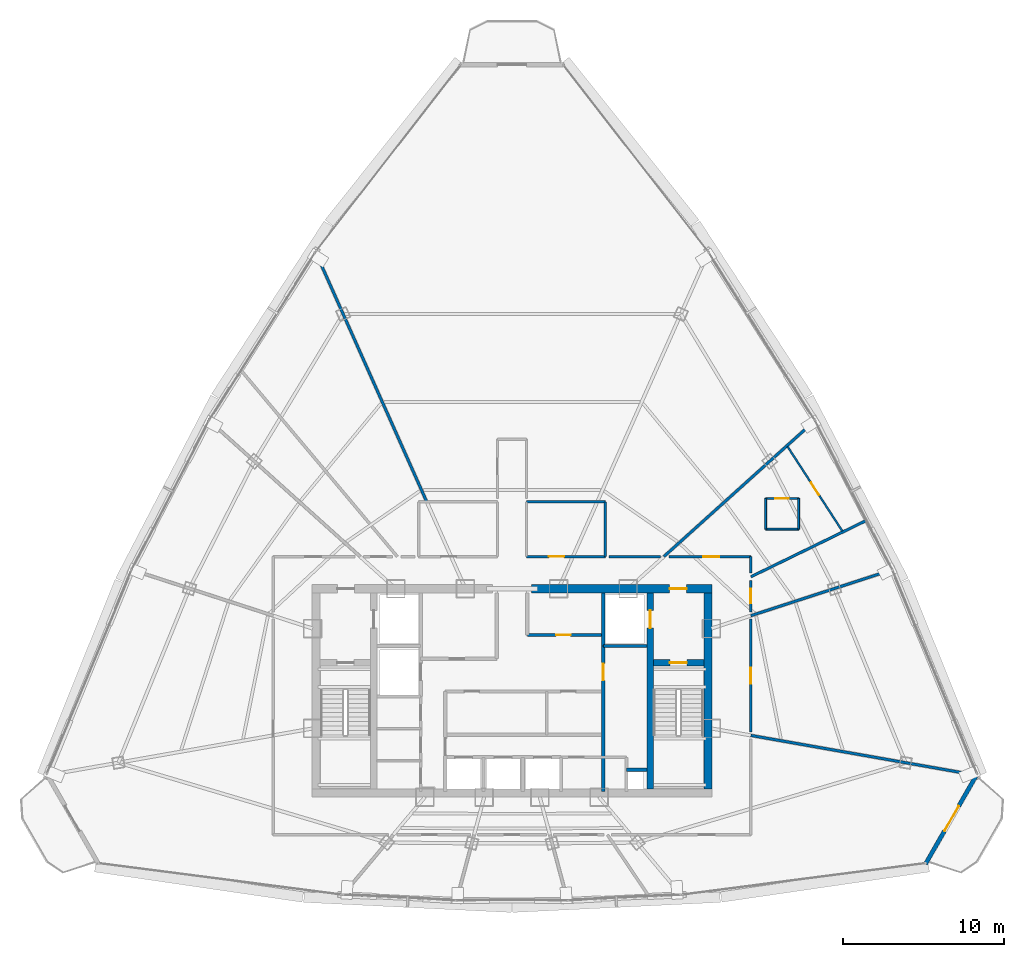
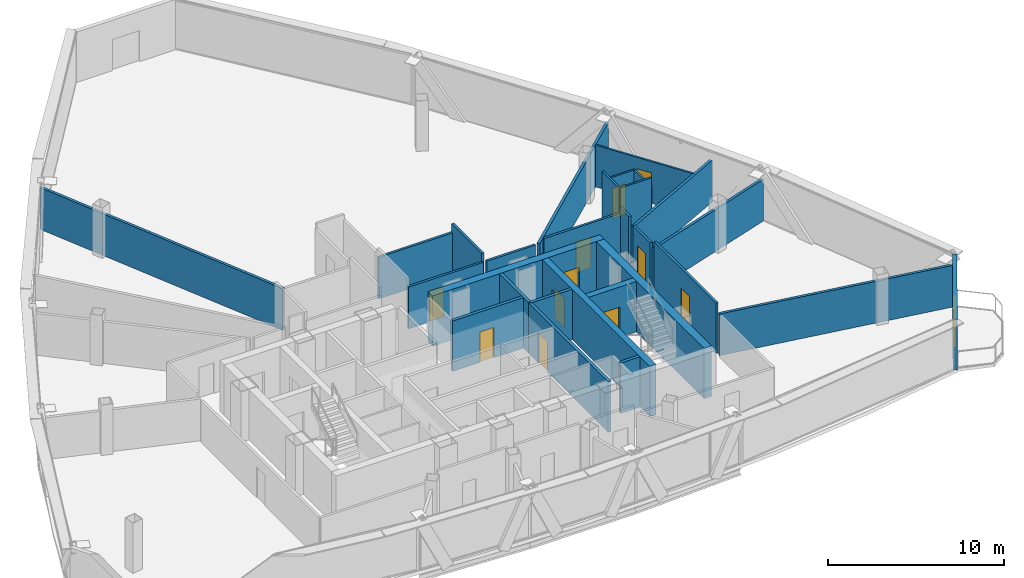
# One storey, part 30 of 34: 28 walls, 12 doors, 12 openings.
"""IFC4 building model written with IfcOpenShell, lengths in metres."""

from ifc_helpers import new_model, si_unit, direction, frame, frame_2d, origin, origin_with_axes, place, context, subcontext, project, spatial, rectangle, extrude, source, transform, mapped, material, layer, layer_set, type_object, element, fill, save


model = new_model("IFC4")

# Units and contexts
model_context = context("Model", 3, precision=1e-05, world=origin(), true_north=direction((0.0, 1.0)))
body_context = subcontext(model_context, "Body", "Model", "MODEL_VIEW")
ifc_project = project(units=[si_unit("LENGTHUNIT", "METRE"), si_unit("AREAUNIT", "SQUARE_METRE"), si_unit("VOLUMEUNIT", "CUBIC_METRE"), si_unit("PLANEANGLEUNIT", "RADIAN"), si_unit("MASSUNIT", "GRAM", prefix="KILO"), si_unit("THERMODYNAMICTEMPERATUREUNIT", "KELVIN"), si_unit("POWERUNIT", "WATT")], contexts=[model_context])

# Site, building, storey
site_placement = place(None, origin())
site = spatial("IfcSite", under=ifc_project, at=site_placement, CompositionType="ELEMENT")
building_placement = place(site_placement, origin())
building = spatial("IfcBuilding", under=site, at=building_placement, Name="Yunzhuo Pagoda Commons", CompositionType="ELEMENT")
storey_placement = place(building_placement, frame((0.0, 0.0, 333.010009765625)))
storey = spatial("IfcBuildingStorey", under=building, at=storey_placement, Name="L83", CompositionType="ELEMENT", Elevation=333.010009765625)

# Wall, opening, door
ifc_material_1 = material(Name="Precast concrete C40", Category="concrete")
ifc_layer_1 = layer(ifc_material_1, 0.260009765625)
ifc_layer_set_1 = layer_set([ifc_layer_1], Name="Precast concrete C40")
wall_type_1 = type_object("IfcWallType", Name="W-BAL1 Corner Balcony Threshold Wall 260", PredefinedType="STANDARD", material=ifc_layer_set_1)
wall_1_placement = place(storey_placement, frame((73.71240234375, 23.091064453125, 0.0), z_axis=(0.0, 0.0, 1.0), x_axis=(0.49793434898, 0.867214727796, 0.0)))
wall_1 = element("IfcWall", 1, at=wall_1_placement, inside=storey, type_object=wall_type_1, Name="L83 corner balcony wall V2", PredefinedType="STANDARD", context=body_context, shape_type="SweptSolid", body=[
    extrude(rectangle(XDim=6.5126953125, YDim=0.260009765625, at=frame_2d((3.25634765625, 0.0))), origin(), (0.0, 0.0, 1.0), 3.489990234375),
])
opening_1_placement = place(wall_1_placement, frame((2.3564453125, 0.0, 0.0)))
opening_1 = element("IfcOpeningElement", 2, at=opening_1_placement, cuts=wall_1, Name="Opening D-BAL1", PredefinedType="OPENING", context=body_context, shape_type="SweptSolid", body=[
    extrude(rectangle(XDim=1.800048828125, YDim=2.14990234375, at=frame_2d((0.89990234375, 1.074951171875))), frame((0.0, 0.14013671875, 0.0), z_axis=(0.0, -1.0, 0.0), x_axis=(1.0, 0.0, 0.0)), (0.0, 0.0, 1.0), 0.280029296875),
])
ifc_material_2 = material(Name="Anodized aluminium frame and tempered glazed leaf", Category="aluminium")
door_type_1 = type_object("IfcDoorType", Name="D-BAL1 Corner Balcony Sliding Glazed Door 1800x2150", OperationType="DOUBLE_DOOR_SLIDING", PredefinedType="DOOR", material=ifc_material_2)
shared_shape_1 = source(origin(), body_context, "Body", "SweptSolid", [
    extrude(rectangle(XDim=1.800048828125, YDim=2.14990234375, at=frame_2d((0.89990234375, 1.074951171875))), frame((0.0, 0.02490234375, 0.0), z_axis=(0.0, -1.0, 0.0), x_axis=(1.0, 0.0, 0.0)), (0.0, 0.0, 1.0), 0.050048828125),
])
door_1_placement = place(opening_1_placement, origin_with_axes())
door_1 = element("IfcDoor", 3, at=door_1_placement, inside=storey, type_object=door_type_1, Name="L83 corner balcony sliding door V2", OperationType="DOUBLE_DOOR_SLIDING", OverallHeight=2.14990234375, OverallWidth=1.800048828125, PredefinedType="DOOR", context=body_context, shape_type="MappedRepresentation", body=[
    mapped(shared_shape_1, transform((0.0, 0.0, 0.0), scale=1.0)),
])
fill(opening_1, door_1)

ifc_material_3 = material(Name="Concrete C50", Category="concrete")
ifc_layer_2 = layer(ifc_material_3, 0.5)
ifc_layer_set_2 = layer_set([ifc_layer_2], Name="Concrete C50")
wall_type_2 = type_object("IfcWallType", Name="W-C03 Upper Core Shear Wall 500", PredefinedType="SHEAR", material=ifc_layer_set_2)
wall_2_placement = place(storey_placement, frame((49.199951171875, 40.199951171875, 0.0), z_axis=(0.0, 0.0, 1.0), x_axis=(1.0, 0.0, 0.0)))
wall_2 = element("IfcWall", 4, at=wall_2_placement, inside=storey, type_object=wall_type_2, Name="L83 core shear wall NE", PredefinedType="SHEAR", context=body_context, shape_type="SweptSolid", body=[
    extrude(rectangle(XDim=11.25, YDim=0.5, at=frame_2d((5.625, 0.0))), origin(), (0.0, 0.0, 1.0), 3.489990234375),
])
opening_2_placement = place(wall_2_placement, frame((8.60009765625, 0.0, 0.0)))
opening_2 = element("IfcOpeningElement", 5, at=opening_2_placement, cuts=wall_2, Name="Opening D-02", PredefinedType="OPENING", context=body_context, shape_type="SweptSolid", body=[
    extrude(rectangle(XDim=1.050048828125, YDim=2.10009765625, at=frame_2d((0.52490234375, 1.050048828125))), frame((0.0, 0.260009765625, 0.0), z_axis=(0.0, -1.0, 0.0), x_axis=(1.0, 0.0, 0.0)), (0.0, 0.0, 1.0), 0.52001953125),
])
ifc_material_4 = material(Name="Galvanized fire-resisting metal leaf")
door_type_2 = type_object("IfcDoorType", Name="D-02 Firefighting Lobby & Refuge Fire Door 1050x2100", OperationType="NOTDEFINED", PredefinedType="DOOR", material=ifc_material_4)
shared_shape_2 = source(origin(), body_context, "Body", "SweptSolid", [
    extrude(rectangle(XDim=1.050048828125, YDim=2.10009765625, at=frame_2d((0.52490234375, 1.050048828125))), frame((0.0, 0.02490234375, 0.0), z_axis=(0.0, -1.0, 0.0), x_axis=(1.0, 0.0, 0.0)), (0.0, 0.0, 1.0), 0.050048828125),
])
door_2_placement = place(opening_2_placement, frame((1.050048828125, 0.0, 0.0), z_axis=(0.0, 0.0, 1.0), x_axis=(-1.0, 0.0, 0.0)))
door_2 = element("IfcDoor", 6, at=door_2_placement, inside=storey, type_object=door_type_2, Name="L83 Firefighting Lobby 2 fire door", OperationType="SINGLE_SWING_RIGHT", OverallHeight=2.10009765625, OverallWidth=1.050048828125, PredefinedType="DOOR", context=body_context, shape_type="MappedRepresentation", body=[
    mapped(shared_shape_2, transform((0.0, 0.0, 0.0), scale=1.0)),
])
fill(opening_2, door_2)

# Wall
wall_3_placement = place(storey_placement, frame((60.199951171875, 27.75, 0.0), z_axis=(0.0, 0.0, 1.0), x_axis=(0.0, 1.0, 0.0)))
element("IfcWall", 7, at=wall_3_placement, inside=storey, type_object=wall_type_2, Name="L83 core shear wall E", PredefinedType="SHEAR", context=body_context, shape_type="SweptSolid", body=[
    extrude(rectangle(XDim=12.199951171875, YDim=0.5, at=frame_2d((6.10009765625, 0.0))), origin(), (0.0, 0.0, 1.0), 3.489990234375),
])

# Wall, opening, door
ifc_material_5 = material(Name="Gypsum plasterboard on acoustic stud")
ifc_layer_3 = layer(ifc_material_5, 0.14990234375)
ifc_layer_set_3 = layer_set([ifc_layer_3], Name="Gypsum plasterboard on acoustic stud")
wall_type_3 = type_object("IfcWallType", Name="W-COR3 High-Zone Rated Corridor Wall 150", PredefinedType="PARTITIONING", material=ifc_layer_set_3)
wall_4_placement = place(storey_placement, frame((48.89990234375, 42.199951171875, 0.0), z_axis=(0.0, 0.0, 1.0), x_axis=(1.0, 0.0, 0.0)))
wall_4 = element("IfcWall", 8, at=wall_4_placement, inside=storey, type_object=wall_type_3, Name="L83 interior wall IW-L83-TFES", PredefinedType="PARTITIONING", context=body_context, shape_type="SweptSolid", body=[
    extrude(rectangle(XDim=4.900146484375, YDim=0.14990234375, at=frame_2d((2.4501953125, 0.0))), origin(), (0.0, 0.0, 1.0), 2.889892578125),
])
opening_3_placement = place(wall_4_placement, frame((1.39990234375, 0.0, 0.0)))
opening_3 = element("IfcOpeningElement", 9, at=opening_3_placement, cuts=wall_4, Name="Opening D-11", PredefinedType="OPENING", context=body_context, shape_type="SweptSolid", body=[
    extrude(rectangle(XDim=0.93994140625, YDim=2.10009765625, at=frame_2d((0.469970703125, 1.050048828125))), frame((0.0, 0.0849609375, 0.0), z_axis=(0.0, -1.0, 0.0), x_axis=(1.0, 0.0, 0.0)), (0.0, 0.0, 1.0), 0.169921875),
])
door_type_3 = type_object("IfcDoorType", Name="D-11 Accessible Washroom Fire Door 940x2100", OperationType="NOTDEFINED", PredefinedType="DOOR", material=ifc_material_4)
shared_shape_3 = source(origin(), body_context, "Body", "SweptSolid", [
    extrude(rectangle(XDim=0.93994140625, YDim=2.10009765625, at=frame_2d((0.469970703125, 1.050048828125))), frame((0.0, 0.02490234375, 0.0), z_axis=(0.0, -1.0, 0.0), x_axis=(1.0, 0.0, 0.0)), (0.0, 0.0, 1.0), 0.050048828125),
])
door_3_placement = place(opening_3_placement, frame((0.93994140625, 0.0, 0.0), z_axis=(0.0, 0.0, 1.0), x_axis=(-1.0, 0.0, 0.0)))
door_3 = element("IfcDoor", 10, at=door_3_placement, inside=storey, type_object=door_type_3, Name="L83 accessible WC door", OperationType="SINGLE_SWING_RIGHT", OverallHeight=2.10009765625, OverallWidth=0.93994140625, PredefinedType="DOOR", context=body_context, shape_type="MappedRepresentation", body=[
    mapped(shared_shape_3, transform((0.0, 0.0, 0.0), scale=1.0)),
])
fill(opening_3, door_3)

# Walls
wall_5_placement = place(storey_placement, frame((48.89990234375, 45.60009765625, 0.0), z_axis=(0.0, 0.0, 1.0), x_axis=(1.0, 0.0, 0.0)))
element("IfcWall", 11, at=wall_5_placement, inside=storey, type_object=wall_type_3, Name="L83 interior wall IW-L83-TFEN", PredefinedType="PARTITIONING", context=body_context, shape_type="SweptSolid", body=[
    extrude(rectangle(XDim=4.900146484375, YDim=0.14990234375, at=frame_2d((2.4501953125, 0.0))), origin(), (0.0, 0.0, 1.0), 2.889892578125),
])
wall_6_placement = place(storey_placement, frame((53.800048828125, 42.199951171875, 0.0), z_axis=(0.0, 0.0, 1.0), x_axis=(0.0, 1.0, 0.0)))
element("IfcWall", 12, at=wall_6_placement, inside=storey, type_object=wall_type_3, Name="L83 interior wall IW-L83-TFEE", PredefinedType="PARTITIONING", context=body_context, shape_type="SweptSolid", body=[
    extrude(rectangle(XDim=3.400146484375, YDim=0.14990234375, at=frame_2d((1.7001953125, 0.0))), origin(), (0.0, 0.0, 1.0), 3.489990234375),
])
wall_7_placement = place(storey_placement, frame((54.02001953125, 42.199951171875, 0.0), z_axis=(0.0, 0.0, 1.0), x_axis=(1.0, 0.0, 0.0)))
element("IfcWall", 13, at=wall_7_placement, inside=storey, type_object=wall_type_3, Name="L83 interior wall IW-L83-CWL09", PredefinedType="PARTITIONING", context=body_context, shape_type="SweptSolid", body=[
    extrude(rectangle(XDim=3.200439453125, YDim=0.14990234375, at=frame_2d((1.60009765625, 0.0))), origin(), (0.0, 0.0, 1.0), 2.889892578125),
])

# Wall, opening, door
wall_8_placement = place(storey_placement, frame((57.76904296875, 42.199951171875, 0.0), z_axis=(0.0, 0.0, 1.0), x_axis=(1.0, 0.0, 0.0)))
wall_8 = element("IfcWall", 14, at=wall_8_placement, inside=storey, type_object=wall_type_3, Name="L83 interior wall IW-L83-CWL10", PredefinedType="PARTITIONING", context=body_context, shape_type="SweptSolid", body=[
    extrude(rectangle(XDim=5.0810546875, YDim=0.14990234375, at=frame_2d((2.54052734375, 0.0))), origin(), (0.0, 0.0, 1.0), 3.139892578125),
])
opening_4_placement = place(wall_8_placement, frame((2.131103515625, 0.0, 0.0)))
opening_4 = element("IfcOpeningElement", 15, at=opening_4_placement, cuts=wall_8, Name="Opening D-08", PredefinedType="OPENING", context=body_context, shape_type="SweptSolid", body=[
    extrude(rectangle(XDim=0.97998046875, YDim=2.1201171875, at=frame_2d((0.489990234375, 1.06005859375))), frame((0.0, 0.0849609375, 0.0), z_axis=(0.0, -1.0, 0.0), x_axis=(1.0, 0.0, 0.0)), (0.0, 0.0, 1.0), 0.169921875),
])
door_type_4 = type_object("IfcDoorType", Name="D-08 High-Zone Suite Entrance Fire Door 980x2120", OperationType="NOTDEFINED", PredefinedType="DOOR", material=ifc_material_4)
shared_shape_4 = source(origin(), body_context, "Body", "SweptSolid", [
    extrude(rectangle(XDim=0.97998046875, YDim=2.1201171875, at=frame_2d((0.489990234375, 1.06005859375))), frame((0.0, 0.02490234375, 0.0), z_axis=(0.0, -1.0, 0.0), x_axis=(1.0, 0.0, 0.0)), (0.0, 0.0, 1.0), 0.050048828125),
])
door_4_placement = place(opening_4_placement, origin_with_axes())
door_4 = element("IfcDoor", 16, at=door_4_placement, inside=storey, type_object=door_type_4, Name="L83 unit 03 entrance door", OperationType="SINGLE_SWING_LEFT", OverallHeight=2.1201171875, OverallWidth=0.97998046875, PredefinedType="DOOR", context=body_context, shape_type="MappedRepresentation", body=[
    mapped(shared_shape_4, transform((0.0, 0.0, 0.0), scale=1.0)),
])
fill(opening_4, door_4)

# Wall
wall_9_placement = place(storey_placement, frame((62.85009765625, 42.199951171875, 0.0), z_axis=(0.0, 0.0, 1.0), x_axis=(0.0, -1.0, 0.0)))
element("IfcWall", 17, at=wall_9_placement, inside=storey, type_object=wall_type_3, Name="L83 interior wall IW-L83-CWL11", PredefinedType="PARTITIONING", context=body_context, shape_type="SweptSolid", body=[
    extrude(rectangle(XDim=1.012451171875, YDim=0.14990234375, at=frame_2d((0.50634765625, 0.0))), origin(), (0.0, 0.0, 1.0), 3.489990234375),
])

# Wall, opening, door
wall_10_placement = place(storey_placement, frame((62.85009765625, 40.722900390625, 0.0), z_axis=(0.0, 0.0, 1.0), x_axis=(0.0, -1.0, 0.0)))
wall_10 = element("IfcWall", 18, at=wall_10_placement, inside=storey, type_object=wall_type_3, Name="L83 interior wall IW-L83-CWL12", PredefinedType="PARTITIONING", context=body_context, shape_type="SweptSolid", body=[
    extrude(rectangle(XDim=1.966552734375, YDim=0.14990234375, at=frame_2d((0.9833984375, 0.0))), origin(), (0.0, 0.0, 1.0), 3.139892578125),
])
opening_5_placement = place(wall_10_placement, frame((0.529052734375, 0.0, 0.0)))
opening_5 = element("IfcOpeningElement", 19, at=opening_5_placement, cuts=wall_10, Name="Opening D-12", PredefinedType="OPENING", context=body_context, shape_type="SweptSolid", body=[
    extrude(rectangle(XDim=0.89990234375, YDim=2.080078125, at=frame_2d((0.449951171875, 1.0400390625))), frame((0.0, 0.0849609375, 0.0), z_axis=(0.0, -1.0, 0.0), x_axis=(1.0, 0.0, 0.0)), (0.0, 0.0, 1.0), 0.169921875),
])
ifc_material_6 = material(Name="Powder-coated aluminium and timber acoustic leaf", Category="wood")
door_type_5 = type_object("IfcDoorType", Name="D-12 Quiet Study Interior Door 900x2080", OperationType="NOTDEFINED", PredefinedType="DOOR", material=ifc_material_6)
shared_shape_5 = source(origin(), body_context, "Body", "SweptSolid", [
    extrude(rectangle(XDim=0.89990234375, YDim=2.080078125, at=frame_2d((0.449951171875, 1.0400390625))), frame((0.0, 0.02490234375, 0.0), z_axis=(0.0, -1.0, 0.0), x_axis=(1.0, 0.0, 0.0)), (0.0, 0.0, 1.0), 0.050048828125),
])
door_5_placement = place(opening_5_placement, origin_with_axes())
door_5 = element("IfcDoor", 20, at=door_5_placement, inside=storey, type_object=door_type_5, Name="L83 study lounge 02 door", OperationType="SINGLE_SWING_RIGHT", OverallHeight=2.080078125, OverallWidth=0.89990234375, PredefinedType="DOOR", context=body_context, shape_type="MappedRepresentation", body=[
    mapped(shared_shape_5, transform((0.0, 0.0, 0.0), scale=1.0)),
])
fill(opening_5, door_5)

wall_11_placement = place(storey_placement, frame((62.85009765625, 38.305419921875, 0.0), z_axis=(0.0, 0.0, 1.0), x_axis=(0.0, -1.0, 0.0)))
wall_11 = element("IfcWall", 21, at=wall_11_placement, inside=storey, type_object=wall_type_3, Name="L83 interior wall IW-L83-CWL13", PredefinedType="PARTITIONING", context=body_context, shape_type="SweptSolid", body=[
    extrude(rectangle(XDim=7.004150390625, YDim=0.14990234375, at=frame_2d((3.501953125, 0.0))), origin(), (0.0, 0.0, 1.0), 3.489990234375),
])
opening_6_placement = place(wall_11_placement, frame((3.027099609375, 0.0, 0.0)))
opening_6 = element("IfcOpeningElement", 22, at=opening_6_placement, cuts=wall_11, Name="Opening D-08", PredefinedType="OPENING", context=body_context, shape_type="SweptSolid", body=[
    extrude(rectangle(XDim=0.97998046875, YDim=2.1201171875, at=frame_2d((0.489990234375, 1.06005859375))), frame((0.0, 0.0849609375, 0.0), z_axis=(0.0, -1.0, 0.0), x_axis=(1.0, 0.0, 0.0)), (0.0, 0.0, 1.0), 0.169921875),
])
door_6_placement = place(opening_6_placement, origin_with_axes())
door_6 = element("IfcDoor", 23, at=door_6_placement, inside=storey, type_object=door_type_4, Name="L83 unit 01 entrance door", OperationType="SINGLE_SWING_LEFT", OverallHeight=2.1201171875, OverallWidth=0.97998046875, PredefinedType="DOOR", context=body_context, shape_type="MappedRepresentation", body=[
    mapped(shared_shape_4, transform((0.0, 0.0, 0.0), scale=1.0)),
])
fill(opening_6, door_6)

# Walls
ifc_layer_4 = layer(ifc_material_5, 0.1201171875)
ifc_layer_set_4 = layer_set([ifc_layer_4], Name="Gypsum plasterboard on acoustic stud")
wall_type_4 = type_object("IfcWallType", Name="W-PRT1 Suite & Bathroom Partition 120", PredefinedType="PARTITIONING", material=ifc_layer_set_4)
wall_12_placement = place(storey_placement, frame((63.76806640625, 43.9130859375, 0.0), z_axis=(0.0, 0.0, 1.0), x_axis=(1.0, 0.0, 0.0)))
element("IfcWall", 24, at=wall_12_placement, inside=storey, type_object=wall_type_4, Name="L83 interior wall IW-L83-B03S", PredefinedType="PARTITIONING", context=body_context, shape_type="SweptSolid", body=[
    extrude(rectangle(XDim=2.050048828125, YDim=0.1201171875, at=frame_2d((1.02490234375, 0.0))), origin(), (0.0, 0.0, 1.0), 3.489990234375),
])
wall_13_placement = place(storey_placement, frame((65.818115234375, 43.9130859375, 0.0), z_axis=(0.0, 0.0, 1.0), x_axis=(0.0, 1.0, 0.0)))
element("IfcWall", 25, at=wall_13_placement, inside=storey, type_object=wall_type_4, Name="L83 interior wall IW-L83-B03E", PredefinedType="PARTITIONING", context=body_context, shape_type="SweptSolid", body=[
    extrude(rectangle(XDim=1.89990234375, YDim=0.1201171875, at=frame_2d((0.949951171875, 0.0))), origin(), (0.0, 0.0, 1.0), 2.889892578125),
])

# Wall, opening, door
wall_14_placement = place(storey_placement, frame((65.818115234375, 45.81298828125, 0.0), z_axis=(0.0, 0.0, 1.0), x_axis=(-1.0, 0.0, 0.0)))
wall_14 = element("IfcWall", 26, at=wall_14_placement, inside=storey, type_object=wall_type_4, Name="L83 interior wall IW-L83-B03N", PredefinedType="PARTITIONING", context=body_context, shape_type="SweptSolid", body=[
    extrude(rectangle(XDim=2.050048828125, YDim=0.1201171875, at=frame_2d((1.02490234375, 0.0))), origin(), (0.0, 0.0, 1.0), 2.889892578125),
])
opening_7_placement = place(wall_14_placement, frame((0.60009765625, 0.0, 0.0)))
opening_7 = element("IfcOpeningElement", 27, at=opening_7_placement, cuts=wall_14, Name="Opening D-05", PredefinedType="OPENING", context=body_context, shape_type="SweptSolid", body=[
    extrude(rectangle(XDim=0.85009765625, YDim=2.10009765625, at=frame_2d((0.425048828125, 1.050048828125))), frame((0.0, 0.070068359375, 0.0), z_axis=(0.0, -1.0, 0.0), x_axis=(1.0, 0.0, 0.0)), (0.0, 0.0, 1.0), 0.14013671875),
])
door_type_6 = type_object("IfcDoorType", Name="D-05 En-Suite Bathroom Door 850x2100", OperationType="NOTDEFINED", PredefinedType="DOOR", material=ifc_material_6)
shared_shape_6 = source(origin(), body_context, "Body", "SweptSolid", [
    extrude(rectangle(XDim=0.85009765625, YDim=2.10009765625, at=frame_2d((0.425048828125, 1.050048828125))), frame((0.0, 0.02490234375, 0.0), z_axis=(0.0, -1.0, 0.0), x_axis=(1.0, 0.0, 0.0)), (0.0, 0.0, 1.0), 0.050048828125),
])
door_7_placement = place(opening_7_placement, frame((0.85009765625, 0.0, 0.0), z_axis=(0.0, 0.0, 1.0), x_axis=(-1.0, 0.0, 0.0)))
door_7 = element("IfcDoor", 28, at=door_7_placement, inside=storey, type_object=door_type_6, Name="L83 unit 03 bathroom door", OperationType="SINGLE_SWING_LEFT", OverallHeight=2.10009765625, OverallWidth=0.85009765625, PredefinedType="DOOR", context=body_context, shape_type="MappedRepresentation", body=[
    mapped(shared_shape_6, transform((0.0, 0.0, 0.0), scale=1.0)),
])
fill(opening_7, door_7)

# Wall
wall_15_placement = place(storey_placement, frame((63.76806640625, 45.81298828125, 0.0), z_axis=(0.0, 0.0, 1.0), x_axis=(0.0, -1.0, 0.0)))
element("IfcWall", 29, at=wall_15_placement, inside=storey, type_object=wall_type_4, Name="L83 interior wall IW-L83-B03W", PredefinedType="PARTITIONING", context=body_context, shape_type="SweptSolid", body=[
    extrude(rectangle(XDim=1.89990234375, YDim=0.1201171875, at=frame_2d((0.949951171875, 0.0))), origin(), (0.0, 0.0, 1.0), 3.489990234375),
])

# Wall, opening, door
wall_16_placement = place(storey_placement, frame((68.539794921875, 43.78466796875, 0.0), z_axis=(0.0, 0.0, 1.0), x_axis=(-0.54386649996, 0.839171752516, 0.0)))
wall_16 = element("IfcWall", 30, at=wall_16_placement, inside=storey, type_object=wall_type_4, Name="L83 interior wall IW-L83-CLB03", PredefinedType="PARTITIONING", context=body_context, shape_type="SweptSolid", body=[
    extrude(rectangle(XDim=6.267578125, YDim=0.1201171875, at=frame_2d((3.1337890625, 0.0))), origin(), (0.0, 0.0, 1.0), 2.889892578125),
])
opening_8_placement = place(wall_16_placement, frame((2.673583984375, 0.0, 0.0)))
opening_8 = element("IfcOpeningElement", 31, at=opening_8_placement, cuts=wall_16, Name="Opening D-04", PredefinedType="OPENING", context=body_context, shape_type="SweptSolid", body=[
    extrude(rectangle(XDim=0.919921875, YDim=2.10009765625, at=frame_2d((0.4599609375, 1.050048828125))), frame((0.0, 0.070068359375, 0.0), z_axis=(0.0, -1.0, 0.0), x_axis=(1.0, 0.0, 0.0)), (0.0, 0.0, 1.0), 0.14013671875),
])
door_type_7 = type_object("IfcDoorType", Name="D-04 Bedroom & Study Interior Door 920x2100", OperationType="NOTDEFINED", PredefinedType="DOOR", material=ifc_material_6)
shared_shape_7 = source(origin(), body_context, "Body", "SweptSolid", [
    extrude(rectangle(XDim=0.919921875, YDim=2.10009765625, at=frame_2d((0.4599609375, 1.050048828125))), frame((0.0, 0.02490234375, 0.0), z_axis=(0.0, -1.0, 0.0), x_axis=(1.0, 0.0, 0.0)), (0.0, 0.0, 1.0), 0.050048828125),
])
door_8_placement = place(opening_8_placement, origin_with_axes())
door_8 = element("IfcDoor", 32, at=door_8_placement, inside=storey, type_object=door_type_7, Name="L83 suite 03 bedroom door", OperationType="SINGLE_SWING_LEFT", OverallHeight=2.10009765625, OverallWidth=0.919921875, PredefinedType="DOOR", context=body_context, shape_type="MappedRepresentation", body=[
    mapped(shared_shape_7, transform((0.0, 0.0, 0.0), scale=1.0)),
])
fill(opening_8, door_8)

# Walls
ifc_layer_5 = layer(ifc_material_5, 0.169921875)
ifc_layer_set_5 = layer_set([ifc_layer_5], Name="Gypsum plasterboard on acoustic stud")
wall_type_5 = type_object("IfcWallType", Name="W-PRT4 High-Zone Demising Wall 170", PredefinedType="PARTITIONING", material=ifc_layer_set_5)
wall_17_placement = place(storey_placement, frame((62.85009765625, 38.525146484375, 0.0), z_axis=(0.0, 0.0, 1.0), x_axis=(0.951054035025, 0.309024630836, 0.0)))
element("IfcWall", 33, at=wall_17_placement, inside=storey, type_object=wall_type_5, Name="L83 interior wall IW-L83-RAD01", PredefinedType="PARTITIONING", context=body_context, shape_type="SweptSolid", body=[
    extrude(rectangle(XDim=9.25439453125, YDim=0.169921875, at=frame_2d((4.627197265625, 0.0))), origin(), (0.0, 0.0, 1.0), 2.889892578125),
])
wall_18_placement = place(storey_placement, frame((62.85009765625, 40.94287109375, 0.0), z_axis=(0.0, 0.0, 1.0), x_axis=(0.898797111691, 0.438364861749, 0.0)))
element("IfcWall", 34, at=wall_18_placement, inside=storey, type_object=wall_type_5, Name="L83 interior wall IW-L83-RAD02", PredefinedType="PARTITIONING", context=body_context, shape_type="SweptSolid", body=[
    extrude(rectangle(XDim=8.02099609375, YDim=0.169921875, at=frame_2d((4.010498046875, 0.0))), origin(), (0.0, 0.0, 1.0), 2.889892578125),
])
wall_19_placement = place(storey_placement, frame((57.440185546875, 42.199951171875, 0.0), z_axis=(0.0, 0.0, 1.0), x_axis=(0.743143506998, 0.669132070675, 0.0)))
element("IfcWall", 35, at=wall_19_placement, inside=storey, type_object=wall_type_5, Name="L83 interior wall IW-L83-RAD03", PredefinedType="PARTITIONING", context=body_context, shape_type="SweptSolid", body=[
    extrude(rectangle(XDim=12.65380859375, YDim=0.169921875, at=frame_2d((6.326904296875, 0.0))), origin(), (0.0, 0.0, 1.0), 2.889892578125),
])
wall_20_placement = place(storey_placement, frame((42.701904296875, 45.60009765625, 0.0), z_axis=(0.0, 0.0, 1.0), x_axis=(-0.406746839759, 0.913540917719, 0.0)))
element("IfcWall", 36, at=wall_20_placement, inside=storey, type_object=wall_type_5, Name="L83 interior wall IW-L83-RAD04", PredefinedType="PARTITIONING", context=body_context, shape_type="SweptSolid", body=[
    extrude(rectangle(XDim=17.013427734375, YDim=0.169921875, at=frame_2d((8.5068359375, 0.0))), origin(), (0.0, 0.0, 1.0), 2.889892578125),
])
wall_21_placement = place(storey_placement, frame((62.85009765625, 31.08154296875, 0.0), z_axis=(0.0, 0.0, 1.0), x_axis=(0.984807879062, -0.173647462802, 0.0)))
element("IfcWall", 37, at=wall_21_placement, inside=storey, type_object=wall_type_5, Name="L83 interior wall IW-L83-RAD12", PredefinedType="PARTITIONING", context=body_context, shape_type="SweptSolid", body=[
    extrude(rectangle(XDim=14.24365234375, YDim=0.169921875, at=frame_2d((7.121826171875, 0.0))), origin(), (0.0, 0.0, 1.0), 2.889892578125),
])

# Wall, opening, door
ifc_material_7 = material(Name="Concrete C60", Category="concrete")
ifc_layer_6 = layer(ifc_material_7, 0.39990234375)
ifc_layer_set_6 = layer_set([ifc_layer_6], Name="Concrete C60")
wall_type_6 = type_object("IfcWallType", Name="W-S01 Internal Core Shear Web 400", PredefinedType="SHEAR", material=ifc_layer_set_6)
wall_22_placement = place(storey_placement, frame((56.60009765625, 27.75, 0.0), z_axis=(0.0, 0.0, 1.0), x_axis=(0.0, 1.0, 0.0)))
wall_22 = element("IfcWall", 38, at=wall_22_placement, inside=storey, type_object=wall_type_6, Name="L83 core shear wall WEBE", PredefinedType="SHEAR", context=body_context, shape_type="SweptSolid", body=[
    extrude(rectangle(XDim=12.199951171875, YDim=0.39990234375, at=frame_2d((6.10009765625, 0.0))), origin(), (0.0, 0.0, 1.0), 3.489990234375),
])
opening_9_placement = place(wall_22_placement, frame((10.0, 0.0, 0.0)))
opening_9 = element("IfcOpeningElement", 39, at=opening_9_placement, cuts=wall_22, Name="Opening LD-01", PredefinedType="OPENING", context=body_context, shape_type="SweptSolid", body=[
    extrude(rectangle(XDim=1.10009765625, YDim=2.10009765625, at=frame_2d((0.550048828125, 1.050048828125))), frame((0.0, 0.2099609375, 0.0), z_axis=(0.0, -1.0, 0.0), x_axis=(1.0, 0.0, 0.0)), (0.0, 0.0, 1.0), 0.419921875),
])
door_type_8 = type_object("IfcDoorType", Name="LD-01 Firefighting Lift Landing Door 1100x2100", OperationType="DOUBLE_DOOR_SLIDING", PredefinedType="DOOR", material=ifc_material_4)
shared_shape_8 = source(origin(), body_context, "Body", "SweptSolid", [
    extrude(rectangle(XDim=1.10009765625, YDim=2.10009765625, at=frame_2d((0.550048828125, 1.050048828125))), frame((0.0, 0.02490234375, 0.0), z_axis=(0.0, -1.0, 0.0), x_axis=(1.0, 0.0, 0.0)), (0.0, 0.0, 1.0), 0.050048828125),
])
door_9_placement = place(opening_9_placement, origin_with_axes())
door_9 = element("IfcDoor", 40, at=door_9_placement, inside=storey, type_object=door_type_8, Name="L83 Firefighting lift FL-2 landing door", OperationType="DOUBLE_DOOR_SLIDING", OverallHeight=2.10009765625, OverallWidth=1.10009765625, PredefinedType="DOOR", context=body_context, shape_type="MappedRepresentation", body=[
    mapped(shared_shape_8, transform((0.0, 0.0, 0.0), scale=1.0)),
])
fill(opening_9, door_9)

wall_23_placement = place(storey_placement, frame((56.800048828125, 35.60009765625, 0.0), z_axis=(0.0, 0.0, 1.0), x_axis=(1.0, 0.0, 0.0)))
wall_23 = element("IfcWall", 41, at=wall_23_placement, inside=storey, type_object=wall_type_6, Name="L83 core shear wall STE", PredefinedType="SHEAR", context=body_context, shape_type="SweptSolid", body=[
    extrude(rectangle(XDim=3.14990234375, YDim=0.39990234375, at=frame_2d((1.574951171875, 0.0))), origin(), (0.0, 0.0, 1.0), 3.489990234375),
])
opening_10_placement = place(wall_23_placement, frame((1.02001953125, 0.0, 0.0)))
opening_10 = element("IfcOpeningElement", 42, at=opening_10_placement, cuts=wall_23, Name="Opening D-01", PredefinedType="OPENING", context=body_context, shape_type="SweptSolid", body=[
    extrude(rectangle(XDim=1.050048828125, YDim=2.10009765625, at=frame_2d((0.52490234375, 1.050048828125))), frame((0.0, 0.2099609375, 0.0), z_axis=(0.0, -1.0, 0.0), x_axis=(1.0, 0.0, 0.0)), (0.0, 0.0, 1.0), 0.419921875),
])
door_type_9 = type_object("IfcDoorType", Name="D-01 Smokeproof Stair Fire Door 1050x2100", OperationType="NOTDEFINED", PredefinedType="DOOR", material=ifc_material_4)
door_10_placement = place(opening_10_placement, frame((1.050048828125, 0.0, 0.0), z_axis=(0.0, 0.0, 1.0), x_axis=(-1.0, 0.0, 0.0)))
door_10 = element("IfcDoor", 43, at=door_10_placement, inside=storey, type_object=door_type_9, Name="L83 Stair ST2 fire door", OperationType="SINGLE_SWING_RIGHT", OverallHeight=2.10009765625, OverallWidth=1.050048828125, PredefinedType="DOOR", context=body_context, shape_type="MappedRepresentation", body=[
    mapped(shared_shape_2, transform((0.0, 0.0, 0.0), scale=1.0)),
])
fill(opening_10, door_10)

# Walls
ifc_material_8 = material(Name="Concrete C40", Category="concrete")
ifc_layer_7 = layer(ifc_material_8, 0.199951171875)
ifc_layer_set_7 = layer_set([ifc_layer_7], Name="Concrete C40")
wall_type_7 = type_object("IfcWallType", Name="W-SHF Shaft & Stair Enclosure Wall 200", PredefinedType="SOLIDWALL", material=ifc_layer_set_7)
wall_24_placement = place(storey_placement, frame((53.679931640625, 36.64990234375, 0.0), z_axis=(0.0, 0.0, 1.0), x_axis=(0.0, 1.0, 0.0)))
element("IfcWall", 44, at=wall_24_placement, inside=storey, type_object=wall_type_7, Name="L83 interior wall IW-L83-FL2W", PredefinedType="SOLIDWALL", context=body_context, shape_type="SweptSolid", body=[
    extrude(rectangle(XDim=3.300048828125, YDim=0.199951171875, at=frame_2d((1.64990234375, 0.0))), origin(), (0.0, 0.0, 1.0), 3.489990234375),
])
wall_25_placement = place(storey_placement, frame((53.679931640625, 36.64990234375, 0.0), z_axis=(0.0, 0.0, 1.0), x_axis=(1.0, 0.0, 0.0)))
element("IfcWall", 45, at=wall_25_placement, inside=storey, type_object=wall_type_7, Name="L83 interior wall IW-L83-FL2S", PredefinedType="SOLIDWALL", context=body_context, shape_type="SweptSolid", body=[
    extrude(rectangle(XDim=2.719970703125, YDim=0.199951171875, at=frame_2d((1.35986328125, 0.0))), origin(), (0.0, 0.0, 1.0), 3.489990234375),
])

# Wall, opening, door
wall_26_placement = place(storey_placement, frame((48.949951171875, 37.320068359375, 0.0), z_axis=(0.0, 0.0, 1.0), x_axis=(1.0, 0.0, 0.0)))
wall_26 = element("IfcWall", 46, at=wall_26_placement, inside=storey, type_object=wall_type_7, Name="L83 interior wall IW-L83-LBNE", PredefinedType="SOLIDWALL", context=body_context, shape_type="SweptSolid", body=[
    extrude(rectangle(XDim=4.72998046875, YDim=0.199951171875, at=frame_2d((2.364990234375, 0.0))), origin(), (0.0, 0.0, 1.0), 3.489990234375),
])
opening_11_placement = place(wall_26_placement, frame((1.800048828125, 0.0, 0.0)))
opening_11 = element("IfcOpeningElement", 47, at=opening_11_placement, cuts=wall_26, Name="Opening D-03", PredefinedType="OPENING", context=body_context, shape_type="SweptSolid", body=[
    extrude(rectangle(XDim=0.89990234375, YDim=2.10009765625, at=frame_2d((0.449951171875, 1.050048828125))), frame((0.0, 0.10986328125, 0.0), z_axis=(0.0, -1.0, 0.0), x_axis=(1.0, 0.0, 0.0)), (0.0, 0.0, 1.0), 0.219970703125),
])
door_type_10 = type_object("IfcDoorType", Name="D-03 Core Service Fire Door 900x2100", OperationType="NOTDEFINED", PredefinedType="DOOR", material=ifc_material_4)
shared_shape_9 = source(origin(), body_context, "Body", "SweptSolid", [
    extrude(rectangle(XDim=0.89990234375, YDim=2.10009765625, at=frame_2d((0.449951171875, 1.050048828125))), frame((0.0, 0.02490234375, 0.0), z_axis=(0.0, -1.0, 0.0), x_axis=(1.0, 0.0, 0.0)), (0.0, 0.0, 1.0), 0.050048828125),
])
door_11_placement = place(opening_11_placement, frame((0.89990234375, 0.0, 0.0), z_axis=(0.0, 0.0, 1.0), x_axis=(-1.0, 0.0, 0.0)))
door_11 = element("IfcDoor", 48, at=door_11_placement, inside=storey, type_object=door_type_10, Name="L83 core east store door", OperationType="SINGLE_SWING_RIGHT", OverallHeight=2.10009765625, OverallWidth=0.89990234375, PredefinedType="DOOR", context=body_context, shape_type="MappedRepresentation", body=[
    mapped(shared_shape_9, transform((0.0, 0.0, 0.0), scale=1.0)),
])
fill(opening_11, door_11)

wall_27_placement = place(storey_placement, frame((53.679931640625, 27.60009765625, 0.0), z_axis=(0.0, 0.0, 1.0), x_axis=(0.0, 1.0, 0.0)))
wall_27 = element("IfcWall", 49, at=wall_27_placement, inside=storey, type_object=wall_type_7, Name="L83 interior wall IW-L83-PLME", PredefinedType="SOLIDWALL", context=body_context, shape_type="SweptSolid", body=[
    extrude(rectangle(XDim=9.0498046875, YDim=0.199951171875, at=frame_2d((4.52490234375, 0.0))), origin(), (0.0, 0.0, 1.0), 3.489990234375),
])
opening_12_placement = place(wall_27_placement, frame((6.89990234375, 0.0, 0.0)))
opening_12 = element("IfcOpeningElement", 50, at=opening_12_placement, cuts=wall_27, Name="Opening D-02", PredefinedType="OPENING", context=body_context, shape_type="SweptSolid", body=[
    extrude(rectangle(XDim=1.050048828125, YDim=2.10009765625, at=frame_2d((0.52490234375, 1.050048828125))), frame((0.0, 0.10986328125, 0.0), z_axis=(0.0, -1.0, 0.0), x_axis=(1.0, 0.0, 0.0)), (0.0, 0.0, 1.0), 0.219970703125),
])
door_12_placement = place(opening_12_placement, origin_with_axes())
door_12 = element("IfcDoor", 51, at=door_12_placement, inside=storey, type_object=door_type_2, Name="L83 High-bank lift hall door", OperationType="SINGLE_SWING_RIGHT", OverallHeight=2.10009765625, OverallWidth=1.050048828125, PredefinedType="DOOR", context=body_context, shape_type="MappedRepresentation", body=[
    mapped(shared_shape_2, transform((0.0, 0.0, 0.0), scale=1.0)),
])
fill(opening_12, door_12)

# Wall
wall_28_placement = place(storey_placement, frame((55.1201171875, 28.949951171875, 0.0), z_axis=(0.0, 0.0, 1.0), x_axis=(1.0, 0.0, 0.0)))
element("IfcWall", 52, at=wall_28_placement, inside=storey, type_object=wall_type_7, Name="L83 interior wall IW-L83-RSHFN", PredefinedType="SOLIDWALL", context=body_context, shape_type="SweptSolid", body=[
    extrude(rectangle(XDim=1.27978515625, YDim=0.199951171875, at=frame_2d((0.639892578125, 0.0))), origin(), (0.0, 0.0, 1.0), 3.489990234375),
])

save(model, "model.ifc")
